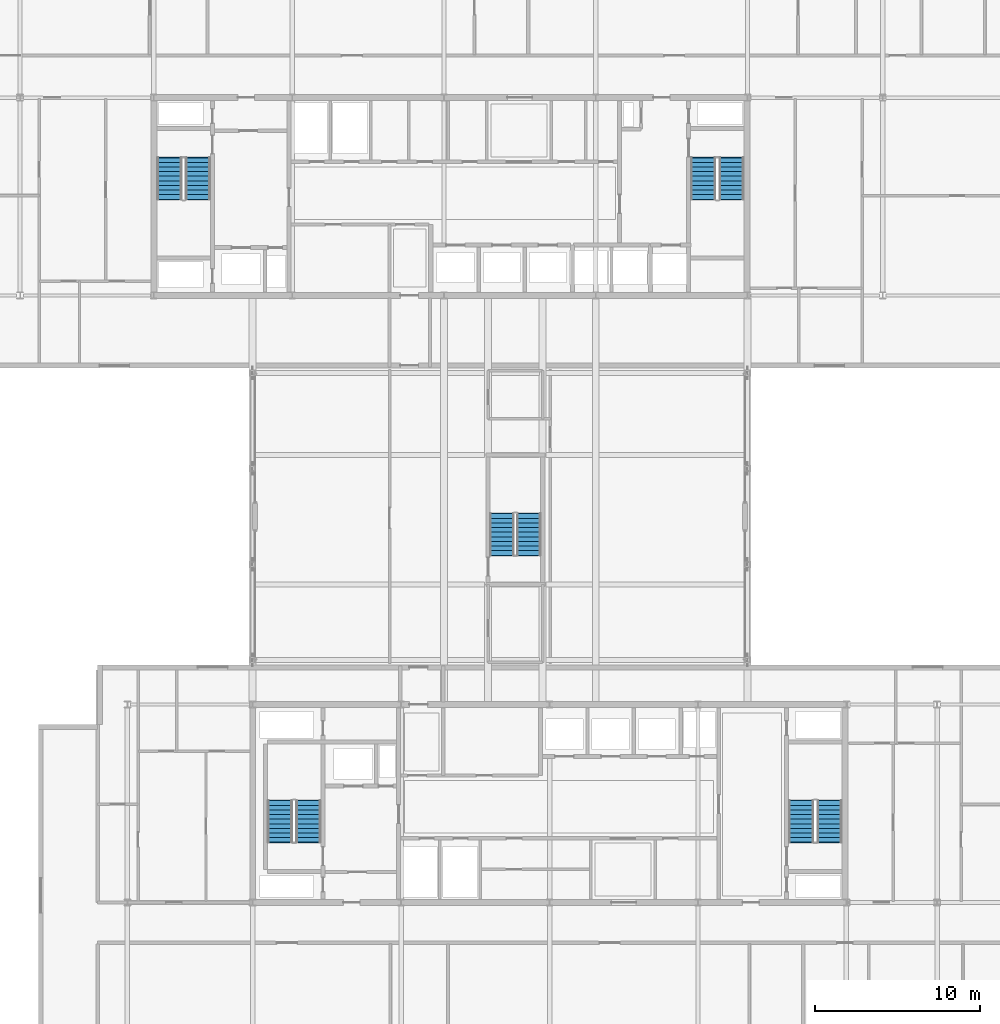
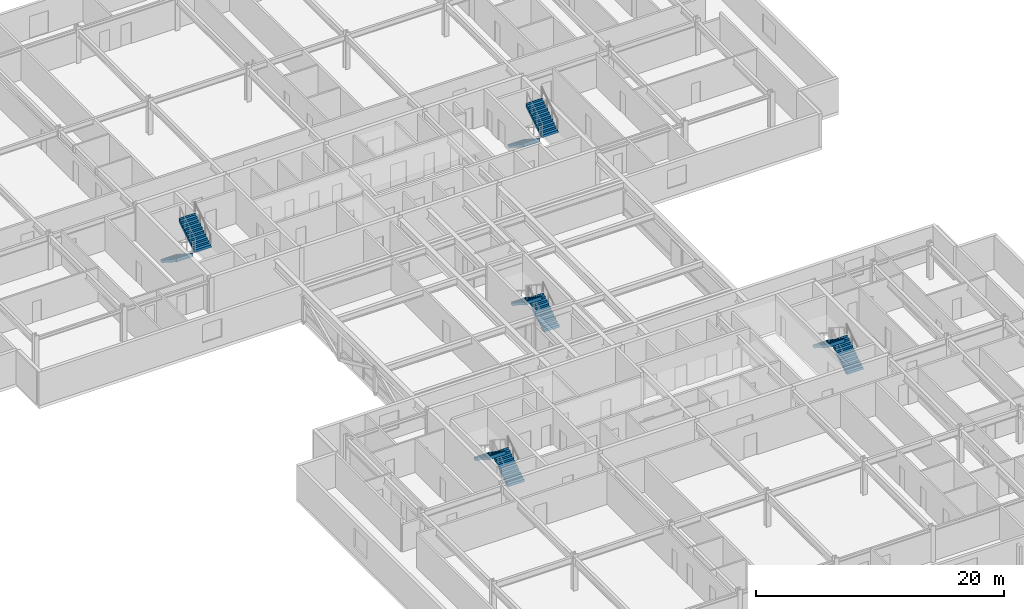
# One storey, part 29 of 35: 10 stair flights, 5 elements without a shape of their own.
"""IFC4 building model written with IfcOpenShell, lengths in metres."""

from ifc_helpers import new_model, si_unit, direction, frame, origin, place, context, subcontext, project, spatial, polyline, outline, extrude, material, type_object, element, aggregate, save


model = new_model("IFC4")

# Units and contexts
model_context = context("Model", 3, precision=1e-05, world=origin(), true_north=direction((0.0, 1.0)))
body_context = subcontext(model_context, "Body", "Model", "MODEL_VIEW")
ifc_project = project(units=[si_unit("LENGTHUNIT", "METRE"), si_unit("AREAUNIT", "SQUARE_METRE"), si_unit("VOLUMEUNIT", "CUBIC_METRE"), si_unit("PLANEANGLEUNIT", "RADIAN"), si_unit("MASSUNIT", "GRAM", prefix="KILO")], contexts=[model_context])

# Site, building, storey
site_placement = place(None, origin())
site = spatial("IfcSite", under=ifc_project, at=site_placement, CompositionType="ELEMENT")
building_placement = place(site_placement, origin())
building = spatial("IfcBuilding", under=site, at=building_placement, Name="Korimba Cascade Residences", CompositionType="ELEMENT")
storey_placement = place(building_placement, frame((0.0, 0.0, 150.10009765625)))
storey = spatial("IfcBuildingStorey", under=building, at=storey_placement, Name="L43", CompositionType="ELEMENT", Elevation=150.10009765625)

# Stair, stair flights
ifc_material = material(Name="Concrete C50/60", Category="concrete")
stair_type_1 = type_object("IfcStairType", Name="STR-BR1-20R-1800", PredefinedType="HALF_TURN_STAIR", material=ifc_material)
stair_1_placement = place(storey_placement, origin())
stair_1 = element("IfcStair", 1, at=stair_1_placement, inside=storey, type_object=stair_type_1, Name="L43 Mid-Bridge Feature Stair ST-BR1", PredefinedType="HALF_TURN_STAIR")
stair_flight_type_1 = type_object("IfcStairFlightType", Name="STF-DL-20R-1800-1430", PredefinedType="STRAIGHT", material=ifc_material)
stair_flight_1_placement = place(storey_placement, frame((98.844970703125, 39.449951171875, 0.0), z_axis=(0.0, 0.0, 1.0), x_axis=(0.0, 1.0, 0.0)))
stair_flight_1 = element("IfcStairFlight", 2, at=stair_flight_1_placement, type_object=stair_flight_type_1, Name="ST-BR1 flight 1", NumberOfRisers=10, NumberOfTreads=9, PredefinedType="STRAIGHT", RiserHeight=0.18, TreadLength=0.28, context=body_context, shape_type="SweptSolid", body=[
    extrude(outline(polyline([(-0.0380859375, 0.0), (0.0, 0.179931640625), (0.280029296875, 0.179931640625), (0.280029296875, 0.360107421875), (0.56005859375, 0.360107421875), (0.56005859375, 0.5400390625), (0.840087890625, 0.5400390625), (0.840087890625, 0.719970703125), (1.1201171875, 0.719970703125), (1.1201171875, 0.89990234375), (1.39990234375, 0.89990234375), (1.39990234375, 1.080078125), (1.679931640625, 1.080078125), (1.679931640625, 1.260009765625), (1.9599609375, 1.260009765625), (1.9599609375, 1.43994140625), (2.239990234375, 1.43994140625), (2.239990234375, 1.6201171875), (2.52001953125, 1.6201171875), (2.52001953125, 1.800048828125), (2.55810546875, 1.800048828125), (2.55810546875, 1.44189453125), (0.277099609375, 0.0), (0.277099609375, -0.0380859375), (-0.0380859375, -0.0380859375), (-0.0380859375, 0.0)])), frame((0.0, 0.71484375, 0.0), z_axis=(0.0, -1.0, 0.0), x_axis=(1.0, 0.0, 0.0)), (0.0, 0.0, 1.0), 1.429931640625),
])
stair_flight_2_placement = place(storey_placement, frame((97.215087890625, 41.969970703125, 1.7998046875), z_axis=(0.0, 0.0, 1.0), x_axis=(0.0, -1.0, 0.0)))
stair_flight_2 = element("IfcStairFlight", 3, at=stair_flight_2_placement, type_object=stair_flight_type_1, Name="ST-BR1 flight 2", NumberOfRisers=10, NumberOfTreads=9, PredefinedType="STRAIGHT", RiserHeight=0.18, TreadLength=0.28, context=body_context, shape_type="SweptSolid", body=[
    extrude(outline(polyline([(-0.0380859375, 0.0), (0.0, 0.179931640625), (0.280029296875, 0.179931640625), (0.280029296875, 0.360107421875), (0.56005859375, 0.360107421875), (0.56005859375, 0.5400390625), (0.840087890625, 0.5400390625), (0.840087890625, 0.719970703125), (1.1201171875, 0.719970703125), (1.1201171875, 0.89990234375), (1.39990234375, 0.89990234375), (1.39990234375, 1.080078125), (1.679931640625, 1.080078125), (1.679931640625, 1.260009765625), (1.9599609375, 1.260009765625), (1.9599609375, 1.43994140625), (2.239990234375, 1.43994140625), (2.239990234375, 1.6201171875), (2.52001953125, 1.6201171875), (2.52001953125, 1.800048828125), (2.55810546875, 1.800048828125), (2.55810546875, 1.44189453125), (0.277099609375, 0.0), (0.277099609375, -0.0380859375), (-0.0380859375, -0.0380859375), (-0.0380859375, 0.0)])), frame((0.0, 0.71484375, 0.0), z_axis=(0.0, -1.0, 0.0), x_axis=(1.0, 0.0, 0.0)), (0.0, 0.0, 1.0), 1.429931640625),
])
aggregate(stair_1, [stair_flight_1, stair_flight_2])

stair_type_2 = type_object("IfcStairType", Name="STR-W1-20R-1800", PredefinedType="HALF_TURN_STAIR", material=ifc_material)
stair_2_placement = place(storey_placement, origin())
stair_2 = element("IfcStair", 4, at=stair_2_placement, inside=storey, type_object=stair_type_2, Name="L43 Tower 1 West Fire Stair ST-W1", PredefinedType="HALF_TURN_STAIR")
stair_flight_type_2 = type_object("IfcStairFlightType", Name="STF-DL-20R-1800-1520", PredefinedType="STRAIGHT", material=ifc_material)
stair_flight_3_placement = place(storey_placement, frame((77.06005859375, 63.550048828125, 0.0), z_axis=(0.0, 0.0, 1.0), x_axis=(0.0, -1.0, 0.0)))
stair_flight_3 = element("IfcStairFlight", 5, at=stair_flight_3_placement, type_object=stair_flight_type_2, Name="ST-W1 flight 1", NumberOfRisers=10, NumberOfTreads=9, PredefinedType="STRAIGHT", RiserHeight=0.18, TreadLength=0.28, context=body_context, shape_type="SweptSolid", body=[
    extrude(outline(polyline([(-0.0380859375, 0.0), (0.0, 0.179931640625), (0.280029296875, 0.179931640625), (0.280029296875, 0.360107421875), (0.56005859375, 0.360107421875), (0.56005859375, 0.5400390625), (0.840087890625, 0.5400390625), (0.840087890625, 0.719970703125), (1.1201171875, 0.719970703125), (1.1201171875, 0.89990234375), (1.39990234375, 0.89990234375), (1.39990234375, 1.080078125), (1.679931640625, 1.080078125), (1.679931640625, 1.260009765625), (1.9599609375, 1.260009765625), (1.9599609375, 1.43994140625), (2.239990234375, 1.43994140625), (2.239990234375, 1.6201171875), (2.52001953125, 1.6201171875), (2.52001953125, 1.800048828125), (2.55810546875, 1.800048828125), (2.55810546875, 1.44189453125), (0.277099609375, 0.0), (0.277099609375, -0.0380859375), (-0.0380859375, -0.0380859375), (-0.0380859375, 0.0)])), frame((0.0, 0.760009765625, 0.0), z_axis=(0.0, -1.0, 0.0), x_axis=(1.0, 0.0, 0.0)), (0.0, 0.0, 1.0), 1.52001953125),
])
stair_flight_4_placement = place(storey_placement, frame((78.780029296875, 61.030029296875, 1.7998046875), z_axis=(0.0, 0.0, 1.0), x_axis=(0.0, 1.0, 0.0)))
stair_flight_4 = element("IfcStairFlight", 6, at=stair_flight_4_placement, type_object=stair_flight_type_2, Name="ST-W1 flight 2", NumberOfRisers=10, NumberOfTreads=9, PredefinedType="STRAIGHT", RiserHeight=0.18, TreadLength=0.28, context=body_context, shape_type="SweptSolid", body=[
    extrude(outline(polyline([(-0.0380859375, 0.0), (0.0, 0.179931640625), (0.280029296875, 0.179931640625), (0.280029296875, 0.360107421875), (0.56005859375, 0.360107421875), (0.56005859375, 0.5400390625), (0.840087890625, 0.5400390625), (0.840087890625, 0.719970703125), (1.1201171875, 0.719970703125), (1.1201171875, 0.89990234375), (1.39990234375, 0.89990234375), (1.39990234375, 1.080078125), (1.679931640625, 1.080078125), (1.679931640625, 1.260009765625), (1.9599609375, 1.260009765625), (1.9599609375, 1.43994140625), (2.239990234375, 1.43994140625), (2.239990234375, 1.6201171875), (2.52001953125, 1.6201171875), (2.52001953125, 1.800048828125), (2.55810546875, 1.800048828125), (2.55810546875, 1.44189453125), (0.277099609375, 0.0), (0.277099609375, -0.0380859375), (-0.0380859375, -0.0380859375), (-0.0380859375, 0.0)])), frame((0.0, 0.760009765625, 0.0), z_axis=(0.0, -1.0, 0.0), x_axis=(1.0, 0.0, 0.0)), (0.0, 0.0, 1.0), 1.52001953125),
])
aggregate(stair_2, [stair_flight_3, stair_flight_4])

stair_type_3 = type_object("IfcStairType", Name="STR-W2-20R-1800", PredefinedType="HALF_TURN_STAIR", material=ifc_material)
stair_3_placement = place(storey_placement, origin())
stair_3 = element("IfcStair", 7, at=stair_3_placement, inside=storey, type_object=stair_type_3, Name="L43 Tower 1 East Fire Stair ST-W2", PredefinedType="HALF_TURN_STAIR")
stair_flight_5_placement = place(storey_placement, frame((109.419921875, 63.550048828125, 0.0), z_axis=(0.0, 0.0, 1.0), x_axis=(0.0, -1.0, 0.0)))
stair_flight_5 = element("IfcStairFlight", 8, at=stair_flight_5_placement, type_object=stair_flight_type_2, Name="ST-W2 flight 1", NumberOfRisers=10, NumberOfTreads=9, PredefinedType="STRAIGHT", RiserHeight=0.18, TreadLength=0.28, context=body_context, shape_type="SweptSolid", body=[
    extrude(outline(polyline([(-0.0380859375, 0.0), (0.0, 0.179931640625), (0.280029296875, 0.179931640625), (0.280029296875, 0.360107421875), (0.56005859375, 0.360107421875), (0.56005859375, 0.5400390625), (0.840087890625, 0.5400390625), (0.840087890625, 0.719970703125), (1.1201171875, 0.719970703125), (1.1201171875, 0.89990234375), (1.39990234375, 0.89990234375), (1.39990234375, 1.080078125), (1.679931640625, 1.080078125), (1.679931640625, 1.260009765625), (1.9599609375, 1.260009765625), (1.9599609375, 1.43994140625), (2.239990234375, 1.43994140625), (2.239990234375, 1.6201171875), (2.52001953125, 1.6201171875), (2.52001953125, 1.800048828125), (2.55810546875, 1.800048828125), (2.55810546875, 1.44189453125), (0.277099609375, 0.0), (0.277099609375, -0.0380859375), (-0.0380859375, -0.0380859375), (-0.0380859375, 0.0)])), frame((0.0, 0.760009765625, 0.0), z_axis=(0.0, -1.0, 0.0), x_axis=(1.0, 0.0, 0.0)), (0.0, 0.0, 1.0), 1.52001953125),
])
stair_flight_6_placement = place(storey_placement, frame((111.139892578125, 61.030029296875, 1.7998046875), z_axis=(0.0, 0.0, 1.0), x_axis=(0.0, 1.0, 0.0)))
stair_flight_6 = element("IfcStairFlight", 9, at=stair_flight_6_placement, type_object=stair_flight_type_2, Name="ST-W2 flight 2", NumberOfRisers=10, NumberOfTreads=9, PredefinedType="STRAIGHT", RiserHeight=0.18, TreadLength=0.28, context=body_context, shape_type="SweptSolid", body=[
    extrude(outline(polyline([(-0.0380859375, 0.0), (0.0, 0.179931640625), (0.280029296875, 0.179931640625), (0.280029296875, 0.360107421875), (0.56005859375, 0.360107421875), (0.56005859375, 0.5400390625), (0.840087890625, 0.5400390625), (0.840087890625, 0.719970703125), (1.1201171875, 0.719970703125), (1.1201171875, 0.89990234375), (1.39990234375, 0.89990234375), (1.39990234375, 1.080078125), (1.679931640625, 1.080078125), (1.679931640625, 1.260009765625), (1.9599609375, 1.260009765625), (1.9599609375, 1.43994140625), (2.239990234375, 1.43994140625), (2.239990234375, 1.6201171875), (2.52001953125, 1.6201171875), (2.52001953125, 1.800048828125), (2.55810546875, 1.800048828125), (2.55810546875, 1.44189453125), (0.277099609375, 0.0), (0.277099609375, -0.0380859375), (-0.0380859375, -0.0380859375), (-0.0380859375, 0.0)])), frame((0.0, 0.760009765625, 0.0), z_axis=(0.0, -1.0, 0.0), x_axis=(1.0, 0.0, 0.0)), (0.0, 0.0, 1.0), 1.52001953125),
])
aggregate(stair_3, [stair_flight_5, stair_flight_6])

stair_type_4 = type_object("IfcStairType", Name="STR-E1-20R-1800", PredefinedType="HALF_TURN_STAIR", material=ifc_material)
stair_4_placement = place(storey_placement, origin())
stair_4 = element("IfcStair", 10, at=stair_4_placement, inside=storey, type_object=stair_type_4, Name="L43 Tower 2 West Fire Stair ST-E1", PredefinedType="HALF_TURN_STAIR")
stair_flight_7_placement = place(storey_placement, frame((85.47998046875, 22.050048828125, 0.0), z_axis=(0.0, 0.0, 1.0), x_axis=(0.0, 1.0, 0.0)))
stair_flight_7 = element("IfcStairFlight", 11, at=stair_flight_7_placement, type_object=stair_flight_type_2, Name="ST-E1 flight 1", NumberOfRisers=10, NumberOfTreads=9, PredefinedType="STRAIGHT", RiserHeight=0.18, TreadLength=0.28, context=body_context, shape_type="SweptSolid", body=[
    extrude(outline(polyline([(-0.0380859375, 0.0), (0.0, 0.179931640625), (0.280029296875, 0.179931640625), (0.280029296875, 0.360107421875), (0.56005859375, 0.360107421875), (0.56005859375, 0.5400390625), (0.840087890625, 0.5400390625), (0.840087890625, 0.719970703125), (1.1201171875, 0.719970703125), (1.1201171875, 0.89990234375), (1.39990234375, 0.89990234375), (1.39990234375, 1.080078125), (1.679931640625, 1.080078125), (1.679931640625, 1.260009765625), (1.9599609375, 1.260009765625), (1.9599609375, 1.43994140625), (2.239990234375, 1.43994140625), (2.239990234375, 1.6201171875), (2.52001953125, 1.6201171875), (2.52001953125, 1.800048828125), (2.55810546875, 1.800048828125), (2.55810546875, 1.44189453125), (0.277099609375, 0.0), (0.277099609375, -0.0380859375), (-0.0380859375, -0.0380859375), (-0.0380859375, 0.0)])), frame((0.0, 0.760009765625, 0.0), z_axis=(0.0, -1.0, 0.0), x_axis=(1.0, 0.0, 0.0)), (0.0, 0.0, 1.0), 1.52001953125),
])
stair_flight_8_placement = place(storey_placement, frame((83.760009765625, 24.570068359375, 1.7998046875), z_axis=(0.0, 0.0, 1.0), x_axis=(0.0, -1.0, 0.0)))
stair_flight_8 = element("IfcStairFlight", 12, at=stair_flight_8_placement, type_object=stair_flight_type_2, Name="ST-E1 flight 2", NumberOfRisers=10, NumberOfTreads=9, PredefinedType="STRAIGHT", RiserHeight=0.18, TreadLength=0.28, context=body_context, shape_type="SweptSolid", body=[
    extrude(outline(polyline([(-0.0380859375, 0.0), (0.0, 0.179931640625), (0.280029296875, 0.179931640625), (0.280029296875, 0.360107421875), (0.56005859375, 0.360107421875), (0.56005859375, 0.5400390625), (0.840087890625, 0.5400390625), (0.840087890625, 0.719970703125), (1.1201171875, 0.719970703125), (1.1201171875, 0.89990234375), (1.39990234375, 0.89990234375), (1.39990234375, 1.080078125), (1.679931640625, 1.080078125), (1.679931640625, 1.260009765625), (1.9599609375, 1.260009765625), (1.9599609375, 1.43994140625), (2.239990234375, 1.43994140625), (2.239990234375, 1.6201171875), (2.52001953125, 1.6201171875), (2.52001953125, 1.800048828125), (2.55810546875, 1.800048828125), (2.55810546875, 1.44189453125), (0.277099609375, 0.0), (0.277099609375, -0.0380859375), (-0.0380859375, -0.0380859375), (-0.0380859375, 0.0)])), frame((0.0, 0.760009765625, 0.0), z_axis=(0.0, -1.0, 0.0), x_axis=(1.0, 0.0, 0.0)), (0.0, 0.0, 1.0), 1.52001953125),
])
aggregate(stair_4, [stair_flight_7, stair_flight_8])

stair_type_5 = type_object("IfcStairType", Name="STR-E2-20R-1800", PredefinedType="HALF_TURN_STAIR", material=ifc_material)
stair_5_placement = place(storey_placement, origin())
stair_5 = element("IfcStair", 13, at=stair_5_placement, inside=storey, type_object=stair_type_5, Name="L43 Tower 2 East Fire Stair ST-E2", PredefinedType="HALF_TURN_STAIR")
stair_flight_9_placement = place(storey_placement, frame((117.080078125, 22.050048828125, 0.0), z_axis=(0.0, 0.0, 1.0), x_axis=(0.0, 1.0, 0.0)))
stair_flight_9 = element("IfcStairFlight", 14, at=stair_flight_9_placement, type_object=stair_flight_type_2, Name="ST-E2 flight 1", NumberOfRisers=10, NumberOfTreads=9, PredefinedType="STRAIGHT", RiserHeight=0.18, TreadLength=0.28, context=body_context, shape_type="SweptSolid", body=[
    extrude(outline(polyline([(-0.0380859375, 0.0), (0.0, 0.179931640625), (0.280029296875, 0.179931640625), (0.280029296875, 0.360107421875), (0.56005859375, 0.360107421875), (0.56005859375, 0.5400390625), (0.840087890625, 0.5400390625), (0.840087890625, 0.719970703125), (1.1201171875, 0.719970703125), (1.1201171875, 0.89990234375), (1.39990234375, 0.89990234375), (1.39990234375, 1.080078125), (1.679931640625, 1.080078125), (1.679931640625, 1.260009765625), (1.9599609375, 1.260009765625), (1.9599609375, 1.43994140625), (2.239990234375, 1.43994140625), (2.239990234375, 1.6201171875), (2.52001953125, 1.6201171875), (2.52001953125, 1.800048828125), (2.55810546875, 1.800048828125), (2.55810546875, 1.44189453125), (0.277099609375, 0.0), (0.277099609375, -0.0380859375), (-0.0380859375, -0.0380859375), (-0.0380859375, 0.0)])), frame((0.0, 0.760009765625, 0.0), z_axis=(0.0, -1.0, 0.0), x_axis=(1.0, 0.0, 0.0)), (0.0, 0.0, 1.0), 1.52001953125),
])
stair_flight_10_placement = place(storey_placement, frame((115.360107421875, 24.570068359375, 1.7998046875), z_axis=(0.0, 0.0, 1.0), x_axis=(0.0, -1.0, 0.0)))
stair_flight_10 = element("IfcStairFlight", 15, at=stair_flight_10_placement, type_object=stair_flight_type_2, Name="ST-E2 flight 2", NumberOfRisers=10, NumberOfTreads=9, PredefinedType="STRAIGHT", RiserHeight=0.18, TreadLength=0.28, context=body_context, shape_type="SweptSolid", body=[
    extrude(outline(polyline([(-0.0380859375, 0.0), (0.0, 0.179931640625), (0.280029296875, 0.179931640625), (0.280029296875, 0.360107421875), (0.56005859375, 0.360107421875), (0.56005859375, 0.5400390625), (0.840087890625, 0.5400390625), (0.840087890625, 0.719970703125), (1.1201171875, 0.719970703125), (1.1201171875, 0.89990234375), (1.39990234375, 0.89990234375), (1.39990234375, 1.080078125), (1.679931640625, 1.080078125), (1.679931640625, 1.260009765625), (1.9599609375, 1.260009765625), (1.9599609375, 1.43994140625), (2.239990234375, 1.43994140625), (2.239990234375, 1.6201171875), (2.52001953125, 1.6201171875), (2.52001953125, 1.800048828125), (2.55810546875, 1.800048828125), (2.55810546875, 1.44189453125), (0.277099609375, 0.0), (0.277099609375, -0.0380859375), (-0.0380859375, -0.0380859375), (-0.0380859375, 0.0)])), frame((0.0, 0.760009765625, 0.0), z_axis=(0.0, -1.0, 0.0), x_axis=(1.0, 0.0, 0.0)), (0.0, 0.0, 1.0), 1.52001953125),
])
aggregate(stair_5, [stair_flight_9, stair_flight_10])

save(model, "model.ifc")
